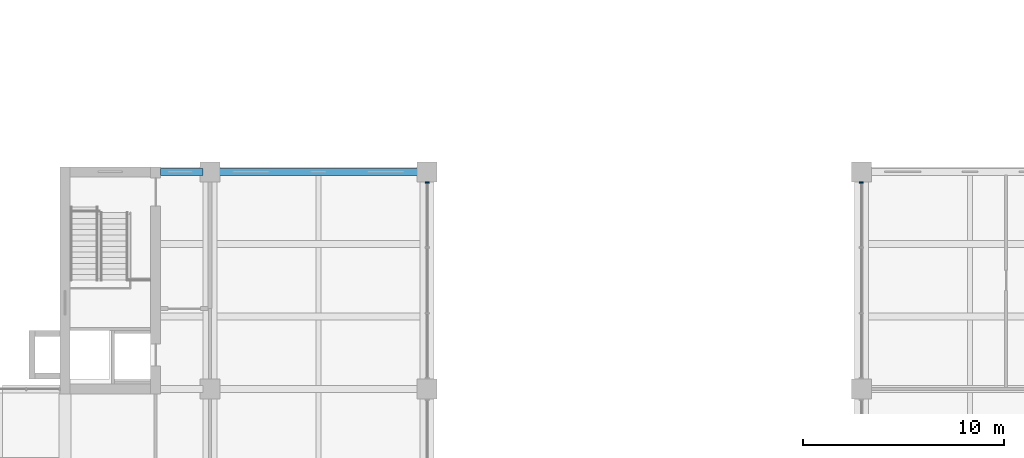
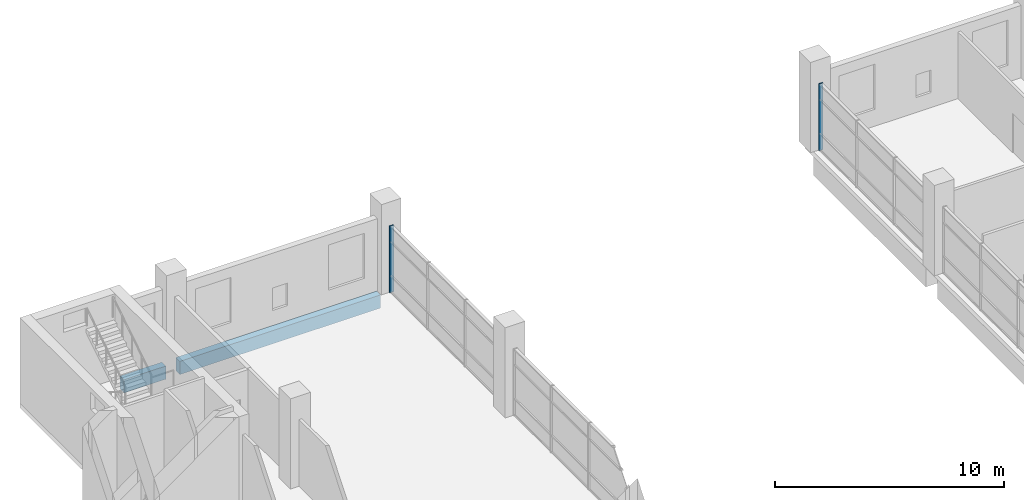
# One storey, part 25 of 44: 2 beams, 2 members, 2 elements without a shape of their own.
"""IFC4 building model written with IfcOpenShell, lengths in metres."""

from ifc_helpers import new_model, si_unit, direction, frame, origin, origin_2d, place, context, subcontext, project, spatial, rectangle, extrude, material, layer, layer_set, material_profile, profile_set, type_object, element, aggregate, save


model = new_model("IFC4")

# Units and contexts
model_context = context("Model", 3, precision=1e-05, world=origin(), true_north=direction((0.0, 1.0)))
body_context = subcontext(model_context, "Body", "Model", "MODEL_VIEW")
ifc_project = project(units=[si_unit("LENGTHUNIT", "METRE"), si_unit("AREAUNIT", "SQUARE_METRE"), si_unit("VOLUMEUNIT", "CUBIC_METRE"), si_unit("PLANEANGLEUNIT", "RADIAN"), si_unit("MASSUNIT", "GRAM", prefix="KILO")], contexts=[model_context])

# Site, building, storey
site_placement = place(None, origin())
site = spatial("IfcSite", under=ifc_project, at=site_placement, CompositionType="ELEMENT")
building_placement = place(site_placement, origin())
building = spatial("IfcBuilding", under=site, at=building_placement, Name="Basin Gate Institute", CompositionType="ELEMENT")
storey_placement = place(building_placement, frame((0.0, 0.0, 27.0)))
storey = spatial("IfcBuildingStorey", under=building, at=storey_placement, Name="L05", CompositionType="ELEMENT", Elevation=27.0)

# Beams
ifc_material_1 = material(Name="Concrete 40 MPa", Category="concrete")
ifc_material_profile_1 = material_profile(ifc_material_1, rectangle(XDim=0.35009765625, YDim=0.699951171875, at=origin_2d()), Name="Beam B1 350 x 700")
ifc_profile_set_1 = profile_set([ifc_material_profile_1], Name="Concrete 40 MPa")
beam_type = type_object("IfcBeamType", Name="Beam B1 R120", PredefinedType="BEAM", material=ifc_profile_set_1)
beam_1_placement = place(storey_placement, frame((68.75, 99.89990234375, -0.60009765625), z_axis=(1.0, 0.0, 0.0), x_axis=(0.0, 1.0, 0.0)))
element("IfcBeam", 1, at=beam_1_placement, inside=storey, type_object=beam_type, material=ifc_profile_set_1, Name="BEAM/L05/W/EW/19", PredefinedType="BEAM", context=body_context, shape_type="SweptSolid", body=[
    extrude(rectangle(XDim=0.35009765625, YDim=0.699951171875, at=origin_2d()), origin(), (0.0, 0.0, 1.0), 10.10009765625),
])
beam_2_placement = place(storey_placement, frame((65.949951171875, 99.89990234375, -0.60009765625), z_axis=(1.0, 0.0, 0.0), x_axis=(0.0, 1.0, 0.0)))
element("IfcBeam", 2, at=beam_2_placement, inside=storey, type_object=beam_type, material=ifc_profile_set_1, Name="BEAM/L05/W/CORR/19", PredefinedType="BEAM", context=body_context, shape_type="SweptSolid", body=[
    extrude(rectangle(XDim=0.35009765625, YDim=0.699951171875, at=origin_2d()), origin(), (0.0, 0.0, 1.0), 2.10009765625),
])

# Curtain wall, member
ifc_material_2 = material(Name="Aluminium-framed glazing", Category="aluminium")
ifc_layer = layer(ifc_material_2, 0.199951171875)
ifc_layer_set = layer_set([ifc_layer], Name="Atrium curtain wall CW2")
curtain_wall_type = type_object("IfcCurtainWallType", Name="Atrium curtain wall CW2", PredefinedType="NOTDEFINED", material=ifc_layer_set)
curtain_wall_1_placement = place(storey_placement, origin())
curtain_wall_1 = element("IfcCurtainWall", 3, at=curtain_wall_1_placement, inside=storey, type_object=curtain_wall_type, material=ifc_layer_set, Name="Atrium curtain wall W wing atrium bay 6 L05", PredefinedType="NOTDEFINED")
ifc_material_3 = material(Name="Aluminium", Category="aluminium")
ifc_material_profile_2 = material_profile(ifc_material_3, rectangle(XDim=0.199951171875, YDim=0.06005859375, at=origin_2d()), Name="Mullion MU2 200 x 60")
ifc_profile_set_2 = profile_set([ifc_material_profile_2], Name="Aluminium")
member_type = type_object("IfcMemberType", Name="Mullion MU2", PredefinedType="MULLION", material=ifc_profile_set_2)
member_1_placement = place(storey_placement, frame((79.199951171875, 99.3701171875, 0.0), z_axis=(0.0, 0.0, 1.0), x_axis=(-1.0, 0.0, 0.0)))
member_1 = element("IfcMember", 4, at=member_1_placement, type_object=member_type, material=ifc_profile_set_2, Name="CW2 mullion 4", PredefinedType="MULLION", context=body_context, shape_type="SweptSolid", body=[
    extrude(rectangle(XDim=0.199951171875, YDim=0.06005859375, at=origin_2d()), origin(), (0.0, 0.0, 1.0), 3.550048828125),
])
aggregate(curtain_wall_1, [member_1])

curtain_wall_2_placement = place(storey_placement, origin())
curtain_wall_2 = element("IfcCurtainWall", 5, at=curtain_wall_2_placement, inside=storey, type_object=curtain_wall_type, material=ifc_layer_set, Name="Atrium curtain wall E wing atrium bay 6 L05", PredefinedType="NOTDEFINED")
member_2_placement = place(storey_placement, frame((100.800048828125, 99.3701171875, 0.0), z_axis=(0.0, 0.0, 1.0), x_axis=(-1.0, 0.0, 0.0)))
member_2 = element("IfcMember", 6, at=member_2_placement, type_object=member_type, material=ifc_profile_set_2, Name="CW2 mullion 4", PredefinedType="MULLION", context=body_context, shape_type="SweptSolid", body=[
    extrude(rectangle(XDim=0.199951171875, YDim=0.06005859375, at=origin_2d()), origin(), (0.0, 0.0, 1.0), 3.550048828125),
])
aggregate(curtain_wall_2, [member_2])

save(model, "model.ifc")
